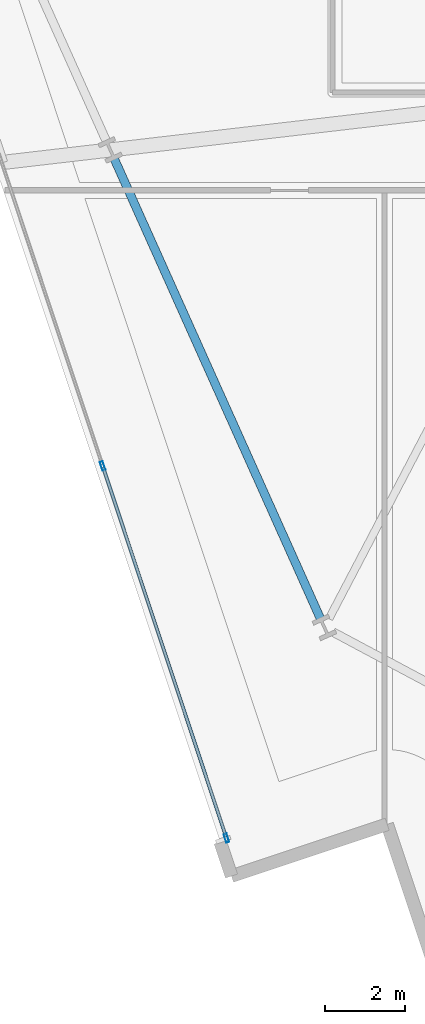
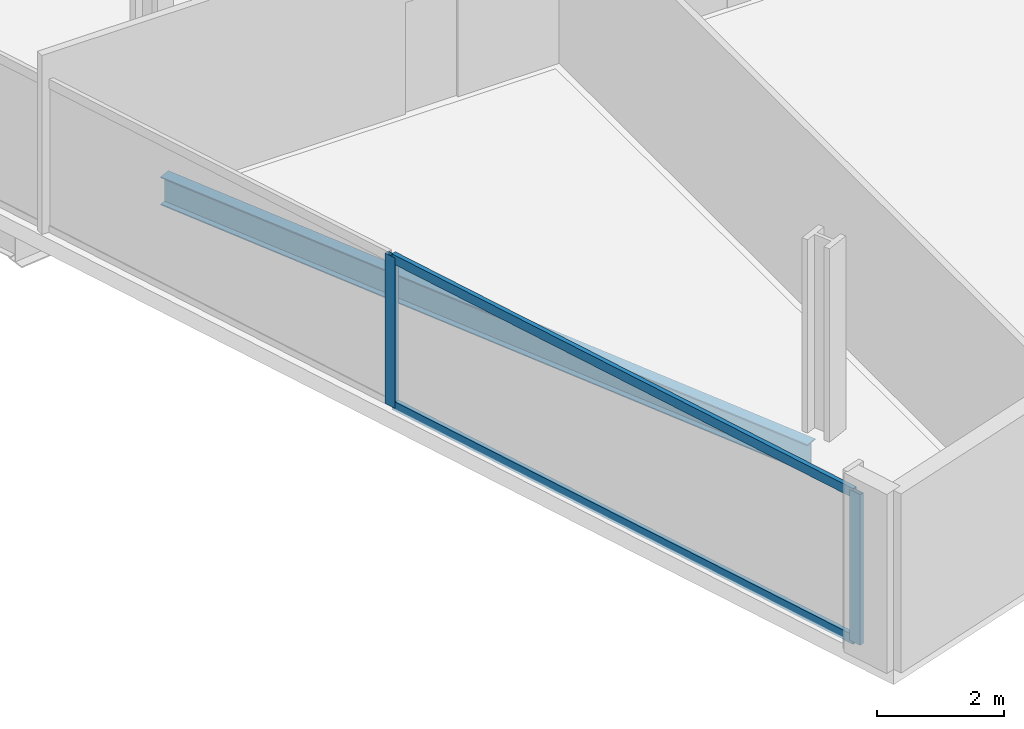
# One storey, part 2 of 34: 4 members, 1 beam, 1 element without a shape of its own.
"""IFC4 building model written with IfcOpenShell, lengths in metres."""

from ifc_helpers import new_model, si_unit, direction, frame, origin, origin_2d, place, context, subcontext, project, spatial, hollow_rectangle, i_section, extrude, material, material_profile, profile_set, type_object, element, aggregate, save


model = new_model("IFC4")

# Units and contexts
model_context = context("Model", 3, precision=1e-05, world=origin(), true_north=direction((0.0, 1.0)))
body_context = subcontext(model_context, "Body", "Model", "MODEL_VIEW")
ifc_project = project(units=[si_unit("LENGTHUNIT", "METRE"), si_unit("AREAUNIT", "SQUARE_METRE"), si_unit("VOLUMEUNIT", "CUBIC_METRE"), si_unit("PLANEANGLEUNIT", "RADIAN"), si_unit("MASSUNIT", "GRAM", prefix="KILO")], contexts=[model_context])

# Site, building, storey
site_placement = place(None, origin())
site = spatial("IfcSite", under=ifc_project, at=site_placement, CompositionType="ELEMENT")
building_placement = place(site_placement, origin())
building = spatial("IfcBuilding", under=site, at=building_placement, Name="Haldenkirk Collegiate Tower", CompositionType="ELEMENT")
storey_placement = place(building_placement, frame((0.0, 0.0, 90.449951171875)))
storey = spatial("IfcBuildingStorey", under=building, at=storey_placement, Name="L21", CompositionType="ELEMENT", Elevation=90.449951171875)

# Beam
ifc_material_1 = material(Name="Steel ASTM A992 Grade 50", Category="steel")
ifc_material_profile_1 = material_profile(ifc_material_1, i_section(OverallWidth=0.2119140625, OverallDepth=0.5439453125, WebThickness=0.01318359375, FlangeThickness=0.021240234375, at=origin_2d()), Name="W21X83")
ifc_profile_set_1 = profile_set([ifc_material_profile_1], Name="Steel ASTM A992 Grade 50")
beam_type = type_object("IfcBeamType", Name="BM-SPANDREL-W21X83", PredefinedType="SPANDREL", material=ifc_profile_set_1)
beam_placement = place(storey_placement, frame((14.742919921875, 16.3369140625, -0.572021484375), z_axis=(0.409131045523, -0.91247563671, 0.0), x_axis=(0.91247563671, 0.409131045523, 0.0)))
element("IfcBeam", 1, at=beam_placement, inside=storey, type_object=beam_type, Name="L21 perimeter spandrel beam 15", PredefinedType="SPANDREL", context=body_context, shape_type="SweptSolid", body=[
    extrude(i_section(OverallWidth=0.2119140625, OverallDepth=0.5439453125, WebThickness=0.01318359375, FlangeThickness=0.021240234375, at=origin_2d()), origin(), (0.0, 0.0, 1.0), 12.593994140625),
])

# Curtain wall, members
ifc_material_2 = material(Name="Anodised architectural bronze aluminium", Category="aluminium")
curtain_wall_type = type_object("IfcCurtainWallType", Name="CW-SYS1-CONVEX-LOW", PredefinedType="USERDEFINED", material=ifc_material_2)
curtain_wall_placement = place(storey_placement, origin())
curtain_wall = element("IfcCurtainWall", 2, at=curtain_wall_placement, inside=storey, type_object=curtain_wall_type, Name="L21 Lower tower convex bronze-framed unitised curtain wall", ObjectType="UNITISED CURTAIN WALL", PredefinedType="USERDEFINED")
ifc_material_profile_2 = material_profile(ifc_material_2, hollow_rectangle(XDim=0.080078125, YDim=0.219970703125, WallThickness=0.0048828125, at=origin_2d()), Name="CW-MUL-1A")
ifc_profile_set_2 = profile_set([ifc_material_profile_2], Name="Anodised architectural bronze aluminium")
member_type_1 = type_object("IfcMemberType", Name="CW-MUL-1A", PredefinedType="MULLION", material=ifc_profile_set_2)
member_1_placement = place(storey_placement, frame((17.547607421875, -0.646728515625, 0.0), z_axis=(0.0, 0.0, 1.0), x_axis=(-0.948875761641, -0.315649788486, 0.0)))
member_1 = element("IfcMember", 3, at=member_1_placement, type_object=member_type_1, Name="CW-1A mullion 1", PredefinedType="MULLION", context=body_context, shape_type="SweptSolid", body=[
    extrude(hollow_rectangle(XDim=0.080078125, YDim=0.219970703125, WallThickness=0.0048828125, at=origin_2d()), origin(), (0.0, 0.0, 1.0), 2.901123046875),
])
member_2_placement = place(storey_placement, frame((14.451171875, 8.66162109375, 0.0), z_axis=(0.0, 0.0, 1.0), x_axis=(-0.948875761641, -0.315649788486, 0.0)))
member_2 = element("IfcMember", 4, at=member_2_placement, type_object=member_type_1, Name="CW-1A mullion 2", PredefinedType="MULLION", context=body_context, shape_type="SweptSolid", body=[
    extrude(hollow_rectangle(XDim=0.080078125, YDim=0.219970703125, WallThickness=0.0048828125, at=origin_2d()), origin(), (0.0, 0.0, 1.0), 2.901123046875),
])
ifc_material_profile_3 = material_profile(ifc_material_2, hollow_rectangle(XDim=0.080078125, YDim=0.179931640625, WallThickness=0.0048828125, at=origin_2d()), Name="CW-TRN-1A")
ifc_profile_set_3 = profile_set([ifc_material_profile_3], Name="Anodised architectural bronze aluminium")
member_type_2 = type_object("IfcMemberType", Name="CW-TRN-1A", PredefinedType="USERDEFINED", material=ifc_profile_set_3)
member_3_placement = place(storey_placement, frame((17.53515625, -0.60888671875, 0.0400390625), z_axis=(-0.315648098803, 0.948876323723, 0.0), x_axis=(-0.948876323723, -0.315648098803, 0.0)))
member_3 = element("IfcMember", 5, at=member_3_placement, type_object=member_type_2, Name="CW-1A transom 1.1", ObjectType="TRANSOM", PredefinedType="USERDEFINED", context=body_context, shape_type="SweptSolid", body=[
    extrude(hollow_rectangle(XDim=0.080078125, YDim=0.179931640625, WallThickness=0.0048828125, at=origin_2d()), origin(), (0.0, 0.0, 1.0), 9.730224609375),
])
member_4_placement = place(storey_placement, frame((17.53515625, -0.60888671875, 2.861083984375), z_axis=(-0.315648098803, 0.948876323723, 0.0), x_axis=(-0.948876323723, -0.315648098803, 0.0)))
member_4 = element("IfcMember", 6, at=member_4_placement, type_object=member_type_2, Name="CW-1A transom 1.2", ObjectType="TRANSOM", PredefinedType="USERDEFINED", context=body_context, shape_type="SweptSolid", body=[
    extrude(hollow_rectangle(XDim=0.080078125, YDim=0.179931640625, WallThickness=0.0048828125, at=origin_2d()), origin(), (0.0, 0.0, 1.0), 9.730224609375),
])
aggregate(curtain_wall, [member_1, member_2, member_3, member_4])

save(model, "model.ifc")
